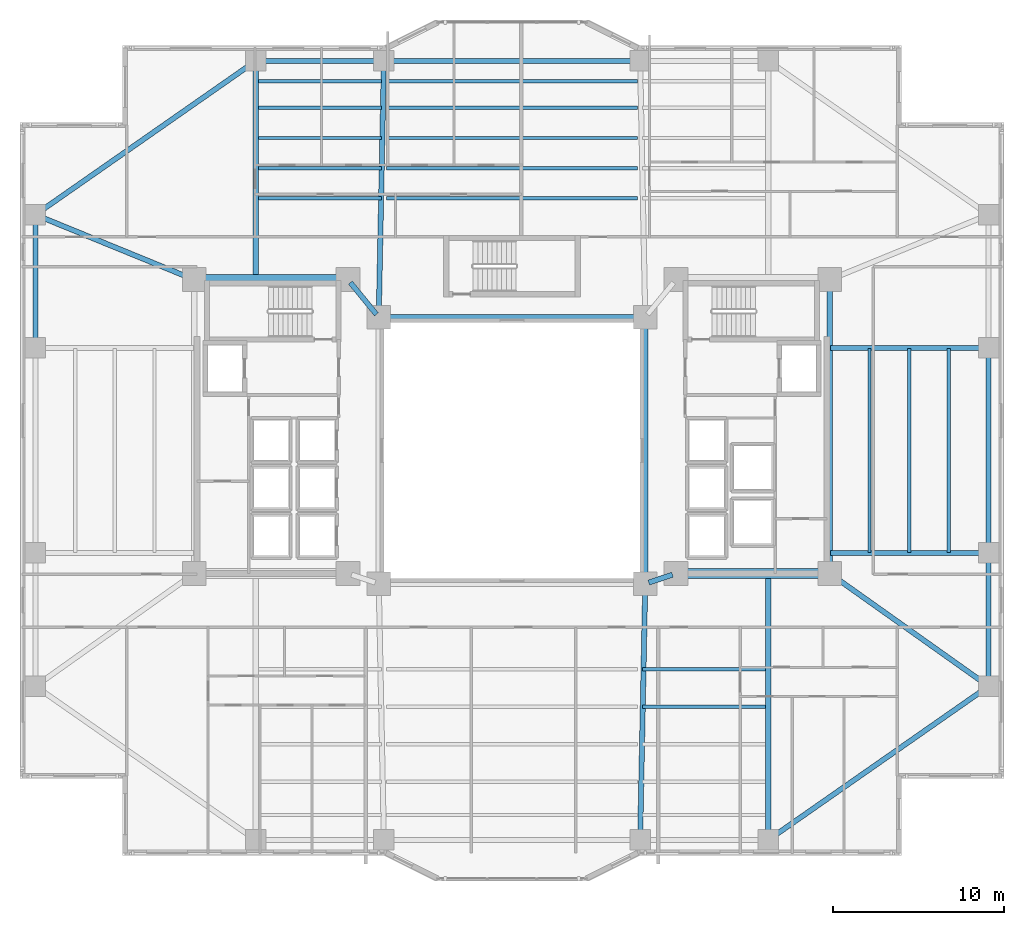
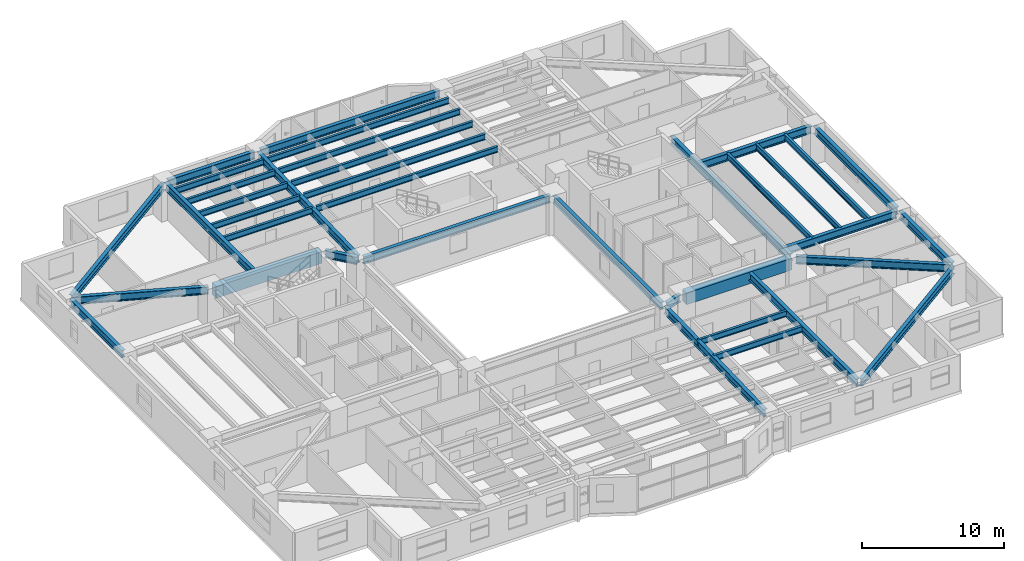
# One storey, part 5 of 20: 37 beams.
"""IFC4 building model written with IfcOpenShell, lengths in metres."""

import ifcopenshell
import ifcopenshell.guid

model = None  # the IFC model being written
_history = None  # IfcOwnerHistory: only IFC2X3 demands one
_inside = {}  # id of a spatial element -> (the spatial element, [elements in it])
_under = {}  # id of a project, library or spatial element -> (it, [spatial elements below it])
_declared = {}  # id of a project -> (the project, [libraries it declares])
_typed = {}  # id of a type object -> (the type object, [elements of that type])
_made_of = {}  # id of a material, layer set ... -> (it, [elements and type objects made of it])


def new_model(schema):
    """Start an empty IFC model of exactly this schema.

    Asked for "IFC4X3", IfcOpenShell would pick the latest addendum, in which some entities
    have other attributes; the version numbers below select the first issue.
    IFC2X3 requires an IfcOwnerHistory on every rooted entity: one is made here for all.
    """
    global model, _history
    if schema == "IFC4X3":
        model = ifcopenshell.file(schema_version=(4, 3, 0, 0))
    else:
        model = ifcopenshell.file(schema=schema)
    _inside.clear()
    _under.clear()
    _declared.clear()
    _typed.clear()
    _made_of.clear()
    _history = None
    if model.schema == "IFC2X3":
        org = make("IfcOrganization", Name="unknown")
        user = make(
            "IfcPersonAndOrganization",
            ThePerson=make("IfcPerson", FamilyName="unknown"),
            TheOrganization=org,
        )
        app = make(
            "IfcApplication",
            ApplicationDeveloper=org,
            Version="unknown",
            ApplicationFullName="unknown",
            ApplicationIdentifier="unknown",
        )
        _history = make(
            "IfcOwnerHistory",
            OwningUser=user,
            OwningApplication=app,
            ChangeAction="ADDED",
            CreationDate=0,
        )
    return model


def make(cls, **values):
    """One entity of the class cls with the attributes given. An attribute that is None is left unset."""
    return model.create_entity(
        cls, **{name: value for name, value in values.items() if value is not None}
    )


def rooted(cls, **values):
    """An entity with a GlobalId (a new one), such as an element, a storey or a relation."""
    return make(cls, GlobalId=ifcopenshell.guid.new(), OwnerHistory=_history, **values)


def si_unit(unit_type, name, prefix=None):
    """IfcSIUnit, for example si_unit("LENGTHUNIT", "METRE", prefix="MILLI")."""
    return make("IfcSIUnit", UnitType=unit_type, Prefix=prefix, Name=name)


def assignment(units):
    """IfcUnitAssignment: the units of a project."""
    return None if units is None else make("IfcUnitAssignment", Units=units)


def point(xyz):
    """IfcCartesianPoint."""
    return None if xyz is None else make("IfcCartesianPoint", Coordinates=xyz)


def direction(xyz):
    """IfcDirection."""
    return None if xyz is None else make("IfcDirection", DirectionRatios=xyz)


def frame(location, z_axis=None, x_axis=None):
    """IfcAxis2Placement3D, a coordinate frame: its origin and axes. An axis left out is left unset."""
    return make(
        "IfcAxis2Placement3D",
        Location=point(location),
        Axis=direction(z_axis),
        RefDirection=direction(x_axis),
    )


def frame_2d(location, x_axis=None):
    """IfcAxis2Placement2D, a coordinate frame in the plane: its origin and x axis."""
    return make(
        "IfcAxis2Placement2D", Location=point(location), RefDirection=direction(x_axis)
    )


def origin():
    """The frame at (0, 0, 0) with its axes left unset."""
    return frame((0.0, 0.0, 0.0))


def origin_2d():
    """The frame at (0, 0) in the plane with its x axis left unset."""
    return frame_2d((0.0, 0.0))


def place(relative_to, where):
    """IfcLocalPlacement: puts the frame where relative to a parent placement (None: the world)."""
    return make(
        "IfcLocalPlacement", PlacementRelTo=relative_to, RelativePlacement=where
    )


def context(
    kind, dimensions, precision=None, world=None, true_north=None, identifier=None
):
    """IfcGeometricRepresentationContext, for example the 3D "Model" context."""
    return make(
        "IfcGeometricRepresentationContext",
        ContextIdentifier=identifier,
        ContextType=kind,
        CoordinateSpaceDimension=dimensions,
        Precision=precision,
        WorldCoordinateSystem=world,
        TrueNorth=true_north,
    )


def subcontext(parent, identifier, kind, view, scale=None):
    """IfcGeometricRepresentationSubContext, for example "Body" below "Model"."""
    return make(
        "IfcGeometricRepresentationSubContext",
        ContextIdentifier=identifier,
        ContextType=kind,
        ParentContext=parent,
        TargetScale=scale,
        TargetView=view,
    )


def project(units=None, contexts=None):
    """IfcProject with its units and contexts."""
    return rooted(
        "IfcProject",
        Name="project",
        RepresentationContexts=contexts,
        UnitsInContext=assignment(units),
    )


def spatial(cls, under=None, at=None, **own):
    """A site, building, storey or space (cls), placed at a placement, below another one or the project."""
    s = rooted(cls, ObjectPlacement=at, **own)
    if under is not None:
        _under.setdefault(under.id(), (under, []))[1].append(s)
    return s


def profile(cls, at=None, kind="AREA", **sizes):
    """A parametric profile (cls). Its sizes go by their IFC names, for example OverallWidth=200.0."""
    return make(cls, ProfileType=kind, Position=at, **sizes)


def rectangle(**sizes):
    """IfcRectangleProfileDef."""
    return profile("IfcRectangleProfileDef", **sizes)


def i_section(**sizes):
    """IfcIShapeProfileDef."""
    return profile("IfcIShapeProfileDef", **sizes)


def extrude(swept, where, along, depth):
    """IfcExtrudedAreaSolid: the profile swept, set in the frame where, extruded along a direction by depth."""
    return make(
        "IfcExtrudedAreaSolid",
        SweptArea=swept,
        Position=where,
        ExtrudedDirection=direction(along),
        Depth=depth,
    )


def shape(context_of_items, identifier, shape_type, items):
    """IfcShapeRepresentation: the items that make up one representation, for example the "Body"."""
    return make(
        "IfcShapeRepresentation",
        ContextOfItems=context_of_items,
        RepresentationIdentifier=identifier,
        RepresentationType=shape_type,
        Items=items,
    )


def material(Name=None, Category=None):
    """IfcMaterial."""
    return make("IfcMaterial", Name=Name, Category=Category)


def material_profile(
    of_material, cross_section, Name=None, Category=None, Priority=None
):
    """IfcMaterialProfile: a cross section and its material."""
    return make(
        "IfcMaterialProfile",
        Name=Name,
        Material=of_material,
        Profile=cross_section,
        Priority=Priority,
        Category=Category,
    )


def profile_set(profiles, Name=None, composite=None):
    """IfcMaterialProfileSet."""
    return make(
        "IfcMaterialProfileSet",
        Name=Name,
        MaterialProfiles=profiles,
        CompositeProfile=composite,
    )


def made_of(thing, what):
    """Note that an element or type object is made of a material, layer set ...; save() writes the relation."""
    if what is not None:
        _made_of.setdefault(what.id(), (what, []))[1].append(thing)
    return thing


def type_object(cls, material=None, **own):
    """A type object (cls), such as IfcWallType, which elements share."""
    return made_of(rooted(cls, **own), material)


def element(
    cls,
    number,
    at=None,
    inside=None,
    cuts=None,
    type_object=None,
    material=None,
    context=None,
    identifier="Body",
    shape_type=None,
    held_by="IfcProductDefinitionShape",
    body=None,
    shapes=None,
    **own,
):
    """One element of the class cls, such as IfcWall. Its Tag is "e" and its number.

    at: its placement. inside: the storey or other place that contains it. cuts: it is an
    opening in that element (IfcRelVoidsElement). A single representation is given by context,
    identifier, shape_type and body (its items); several are given by shapes. held_by: the class
    of the entity that holds the representations. save() writes the other relations.
    """
    e = rooted(cls, Tag="e%d" % number, ObjectPlacement=at, **own)
    if body is not None:
        shapes = [shape(context, identifier, shape_type, body)]
    if shapes is not None:
        e.Representation = make(held_by, Representations=shapes)
    if inside is not None:
        _inside.setdefault(inside.id(), (inside, []))[1].append(e)
    if cuts is not None:
        rooted(
            "IfcRelVoidsElement", RelatingBuildingElement=cuts, RelatedOpeningElement=e
        )
    if type_object is not None:
        _typed.setdefault(type_object.id(), (type_object, []))[1].append(e)
    return made_of(e, material)


def aggregate(whole, parts):
    """IfcRelAggregates: a whole, such as a stair, and the parts it consists of."""
    return rooted("IfcRelAggregates", RelatingObject=whole, RelatedObjects=parts)


def save(model, path):
    """Write the relations noted so far, then the file.

    IfcRelAggregates (storeys below a building ...), IfcRelContainedInSpatialStructure (elements
    in a storey), IfcRelDefinesByType, IfcRelAssociatesMaterial and IfcRelDeclares: one each for
    every whole, place, type object, material and project.
    """
    for whole, parts in _under.values():
        aggregate(whole, parts)
    for where, things in _inside.values():
        rooted(
            "IfcRelContainedInSpatialStructure",
            RelatedElements=things,
            RelatingStructure=where,
        )
    for kind, things in _typed.values():
        rooted("IfcRelDefinesByType", RelatedObjects=things, RelatingType=kind)
    for what, things in _made_of.values():
        rooted("IfcRelAssociatesMaterial", RelatedObjects=things, RelatingMaterial=what)
    for by, libraries in _declared.values():
        rooted("IfcRelDeclares", RelatingContext=by, RelatedDefinitions=libraries)
    model.write(path)


model = new_model("IFC4")

# Units and contexts
model_context = context("Model", 3, precision=1e-05, world=origin(), true_north=direction((0.0, 1.0)))
body_context = subcontext(model_context, "Body", "Model", "MODEL_VIEW")
ifc_project = project(units=[si_unit("LENGTHUNIT", "METRE"), si_unit("AREAUNIT", "SQUARE_METRE"), si_unit("VOLUMEUNIT", "CUBIC_METRE"), si_unit("PLANEANGLEUNIT", "RADIAN"), si_unit("MASSUNIT", "GRAM", prefix="KILO")], contexts=[model_context])

# Site, building, storey
site_placement = place(None, origin())
site = spatial("IfcSite", under=ifc_project, at=site_placement, CompositionType="ELEMENT")
building_placement = place(site_placement, origin())
building = spatial("IfcBuilding", under=site, at=building_placement, Name="Tarnavaz Court Tower", CompositionType="ELEMENT")
storey_placement = place(building_placement, frame((0.0, 0.0, 60.85009765625)))
storey = spatial("IfcBuildingStorey", under=building, at=storey_placement, Name="L16", CompositionType="ELEMENT", Elevation=60.85009765625)

# Beams
ifc_material_1 = material(Name="Concrete C60/75", Category="concrete")
ifc_material_profile_1 = material_profile(ifc_material_1, rectangle(XDim=0.60009765625, YDim=1.0, at=origin_2d()), Name="RC 600X1000")
ifc_profile_set_1 = profile_set([ifc_material_profile_1], Name="Concrete C60/75")
beam_type_1 = type_object("IfcBeamType", Name="BM-CB1000", PredefinedType="LINTEL", material=ifc_profile_set_1)
for number, where, z_axis, x_axis, name in (
    (1, (-18.3798828125, 10.0, 2.5498046875), (1.0, 0.0, 0.0), (0.0, 1.0, 0.0), "L16 Beam IN-CW-NO-CW-NI"),
    (2, (18.3798828125, -7.199951171875, 2.5498046875), (-1.0, 0.0, 0.0), (0.0, -1.0, 0.0), "L16 Beam IN-CE-SO-CE-SI"),
):
    element("IfcBeam", number, at=place(storey_placement, frame(where, z_axis=z_axis, x_axis=x_axis)), inside=storey, type_object=beam_type_1, Name=name, PredefinedType="LINTEL", context=body_context, shape_type="SweptSolid", body=[
        extrude(rectangle(XDim=0.60009765625, YDim=1.0, at=origin_2d()), origin(), (0.0, 0.0, 1.0), 8.559814453125),
    ])
ifc_material_2 = material(Name="Steel S355", Category="steel")
ifc_material_profile_2 = material_profile(ifc_material_2, i_section(OverallWidth=0.300048828125, OverallDepth=0.64990234375, WebThickness=0.01611328125, FlangeThickness=0.031005859375, FilletRadius=0.027099609375, at=origin_2d()), Name="HEB 650")
ifc_profile_set_2 = profile_set([ifc_material_profile_2], Name="Steel S355")
beam_type_2 = type_object("IfcBeamType", Name="BM-G-HEB650", PredefinedType="USERDEFINED", material=ifc_profile_set_2)
beam_1_placement = place(storey_placement, frame((9.391357421875, -7.26953125, 2.724853515625), z_axis=(-0.948666544706, -0.316278021615, 0.0), x_axis=(0.316278021615, -0.948666544706, 0.0)))
element("IfcBeam", 3, at=beam_1_placement, inside=storey, type_object=beam_type_2, Name="L16 Beam IN-CE-SI-IW-SE", ObjectType="GIRDER", PredefinedType="USERDEFINED", context=body_context, shape_type="SweptSolid", body=[
    extrude(i_section(OverallWidth=0.300048828125, OverallDepth=0.64990234375, WebThickness=0.01611328125, FlangeThickness=0.031005859375, FilletRadius=0.027099609375, at=origin_2d()), origin(), (0.0, 0.0, 1.0), 1.457275390625),
])
beam_2_placement = place(storey_placement, frame((-9.460693359375, 9.82958984375, 2.724853515625), z_axis=(0.633282058357, -0.773921077735, 0.0), x_axis=(0.773921077735, 0.633282058357, 0.0)))
element("IfcBeam", 4, at=beam_2_placement, inside=storey, type_object=beam_type_2, Name="L16 Beam IN-CW-NI-IW-NW", ObjectType="GIRDER", PredefinedType="USERDEFINED", context=body_context, shape_type="SweptSolid", body=[
    extrude(i_section(OverallWidth=0.300048828125, OverallDepth=0.64990234375, WebThickness=0.01611328125, FlangeThickness=0.031005859375, FilletRadius=0.027099609375, at=origin_2d()), origin(), (0.0, 0.0, 1.0), 2.402587890625),
])
beam_3_placement = place(storey_placement, frame((18.60009765625, -6.97998046875, 2.724853515625), z_axis=(0.0, 1.0, 0.0), x_axis=(-1.0, 0.0, 0.0)))
element("IfcBeam", 5, at=beam_3_placement, inside=storey, type_object=beam_type_2, Name="L16 Beam IN-CE-SO-CE-NO", ObjectType="GIRDER", PredefinedType="USERDEFINED", context=body_context, shape_type="SweptSolid", body=[
    extrude(i_section(OverallWidth=0.300048828125, OverallDepth=0.64990234375, WebThickness=0.01611328125, FlangeThickness=0.031005859375, FilletRadius=0.027099609375, at=origin_2d()), origin(), (0.0, 0.0, 1.0), 16.760009765625),
])
beam_4_placement = place(storey_placement, frame((-15.0, 10.0400390625, 2.724853515625), z_axis=(0.0, 1.0, 0.0), x_axis=(-1.0, 0.0, 0.0)))
element("IfcBeam", 6, at=beam_4_placement, inside=storey, type_object=beam_type_2, Name="L16 Beam RG-01", ObjectType="GIRDER", PredefinedType="USERDEFINED", context=body_context, shape_type="SweptSolid", body=[
    extrude(i_section(OverallWidth=0.300048828125, OverallDepth=0.64990234375, WebThickness=0.01611328125, FlangeThickness=0.031005859375, FilletRadius=0.027099609375, at=origin_2d()), origin(), (0.0, 0.0, 1.0), 12.5400390625),
])
for number, where, z_axis, x_axis, name in (
    (7, (-7.795654296875, 8.02001953125, 2.724853515625), (0.020000023066, 0.999799979535, 0.0), (-0.999799979535, 0.020000023066, 0.0), "L16 Beam RG-02"),
    (8, (7.795654296875, -8.02001953125, 2.724853515625), (-0.020000023066, -0.999799979535, 0.0), (0.999799979535, -0.020000023066, 0.0), "L16 Beam RG-07"),
):
    element("IfcBeam", number, at=place(storey_placement, frame(where, z_axis=z_axis, x_axis=x_axis)), inside=storey, type_object=beam_type_2, Name=name, ObjectType="GIRDER", PredefinedType="USERDEFINED", context=body_context, shape_type="SweptSolid", body=[
        extrude(i_section(OverallWidth=0.300048828125, OverallDepth=0.64990234375, WebThickness=0.01611328125, FlangeThickness=0.031005859375, FilletRadius=0.027099609375, at=origin_2d()), origin(), (0.0, 0.0, 1.0), 14.56298828125),
    ])
beam_5_placement = place(storey_placement, frame((15.0, -7.239990234375, 2.724853515625), z_axis=(0.0, -1.0, 0.0), x_axis=(1.0, 0.0, 0.0)))
element("IfcBeam", 9, at=beam_5_placement, inside=storey, type_object=beam_type_2, Name="L16 Beam RG-08", ObjectType="GIRDER", PredefinedType="USERDEFINED", context=body_context, shape_type="SweptSolid", body=[
    extrude(i_section(OverallWidth=0.300048828125, OverallDepth=0.64990234375, WebThickness=0.01611328125, FlangeThickness=0.031005859375, FilletRadius=0.027099609375, at=origin_2d()), origin(), (0.0, 0.0, 1.0), 15.340087890625),
])
for number, where, z_axis, x_axis, name in (
    (10, (18.639892578125, -6.0, 2.724853515625), (1.0, 0.0, 0.0), (0.0, 1.0, 0.0), "L16 Beam RG-09"),
    (11, (18.639892578125, 6.0, 2.724853515625), (1.0, 0.0, 0.0), (0.0, 1.0, 0.0), "L16 Beam RG-10"),
):
    element("IfcBeam", number, at=place(storey_placement, frame(where, z_axis=z_axis, x_axis=x_axis)), inside=storey, type_object=beam_type_2, Name=name, ObjectType="GIRDER", PredefinedType="USERDEFINED", context=body_context, shape_type="SweptSolid", body=[
        extrude(i_section(OverallWidth=0.300048828125, OverallDepth=0.64990234375, WebThickness=0.01611328125, FlangeThickness=0.031005859375, FilletRadius=0.027099609375, at=origin_2d()), origin(), (0.0, 0.0, 1.0), 9.0400390625),
    ])
beam_6_placement = place(storey_placement, frame((18.779296875, -7.327392578125, 2.724853515625), z_axis=(0.815520027245, -0.578728852886, 0.0), x_axis=(0.578728852886, 0.815520027245, 0.0)))
element("IfcBeam", 12, at=beam_6_placement, inside=storey, type_object=beam_type_2, Name="L16 Beam RG-11", ObjectType="GIRDER", PredefinedType="USERDEFINED", context=body_context, shape_type="SweptSolid", body=[
    extrude(i_section(OverallWidth=0.300048828125, OverallDepth=0.64990234375, WebThickness=0.01611328125, FlangeThickness=0.031005859375, FilletRadius=0.027099609375, at=origin_2d()), origin(), (0.0, 0.0, 1.0), 10.964111328125),
])
beam_7_placement = place(storey_placement, frame((-18.8037109375, 10.083251953125, 2.724853515625), z_axis=(-0.925704761705, 0.378246869329, 0.0), x_axis=(-0.378246869329, -0.925704761705, 0.0)))
element("IfcBeam", 13, at=beam_7_placement, inside=storey, type_object=beam_type_2, Name="L16 Beam RG-16", ObjectType="GIRDER", PredefinedType="USERDEFINED", context=body_context, shape_type="SweptSolid", body=[
    extrude(i_section(OverallWidth=0.300048828125, OverallDepth=0.64990234375, WebThickness=0.01611328125, FlangeThickness=0.031005859375, FilletRadius=0.027099609375, at=origin_2d()), origin(), (0.0, 0.0, 1.0), 9.606201171875),
])
ifc_material_profile_3 = material_profile(ifc_material_2, i_section(OverallWidth=0.199951171875, OverallDepth=0.5, WebThickness=0.01025390625, FlangeThickness=0.01611328125, FilletRadius=0.02099609375, at=origin_2d()), Name="IPE 500")
ifc_profile_set_3 = profile_set([ifc_material_profile_3], Name="Steel S355")
beam_type_3 = type_object("IfcBeamType", Name="BM-J-IPE500", PredefinedType="JOIST", material=ifc_profile_set_3)
beam_8_placement = place(storey_placement, frame((-14.85009765625, 14.763916015625, 2.7998046875), z_axis=(1.0, 0.0, 0.0), x_axis=(0.0, 1.0, 0.0)))
element("IfcBeam", 14, at=beam_8_placement, inside=storey, type_object=beam_type_3, Name="L16 Beam JN1-1", PredefinedType="JOIST", context=body_context, shape_type="SweptSolid", body=[
    extrude(i_section(OverallWidth=0.199951171875, OverallDepth=0.5, WebThickness=0.01025390625, FlangeThickness=0.01611328125, FilletRadius=0.02099609375, at=origin_2d()), origin(), (0.0, 0.0, 1.0), 7.2001953125),
])
beam_9_placement = place(storey_placement, frame((-7.35009765625, 14.763916015625, 2.7998046875), z_axis=(1.0, 0.0, 0.0), x_axis=(0.0, 1.0, 0.0)))
element("IfcBeam", 15, at=beam_9_placement, inside=storey, type_object=beam_type_3, Name="L16 Beam JN1-2", PredefinedType="JOIST", context=body_context, shape_type="SweptSolid", body=[
    extrude(i_section(OverallWidth=0.199951171875, OverallDepth=0.5, WebThickness=0.01025390625, FlangeThickness=0.01611328125, FilletRadius=0.02099609375, at=origin_2d()), origin(), (0.0, 0.0, 1.0), 14.7001953125),
])
for number, where, z_axis, x_axis, name in (
    (16, (7.64990234375, -12.7958984375, 2.7998046875), (1.0, 0.0, 0.0), (0.0, 1.0, 0.0), "L16 Beam JS1-3"),
    (17, (-14.85009765625, 16.528076171875, 2.7998046875), (1.0, 0.0, 0.0), (0.0, 1.0, 0.0), "L16 Beam JN2-1"),
):
    element("IfcBeam", number, at=place(storey_placement, frame(where, z_axis=z_axis, x_axis=x_axis)), inside=storey, type_object=beam_type_3, Name=name, PredefinedType="JOIST", context=body_context, shape_type="SweptSolid", body=[
        extrude(i_section(OverallWidth=0.199951171875, OverallDepth=0.5, WebThickness=0.01025390625, FlangeThickness=0.01611328125, FilletRadius=0.02099609375, at=origin_2d()), origin(), (0.0, 0.0, 1.0), 7.2001953125),
    ])
beam_10_placement = place(storey_placement, frame((-7.35009765625, 16.528076171875, 2.7998046875), z_axis=(1.0, 0.0, 0.0), x_axis=(0.0, 1.0, 0.0)))
element("IfcBeam", 18, at=beam_10_placement, inside=storey, type_object=beam_type_3, Name="L16 Beam JN2-2", PredefinedType="JOIST", context=body_context, shape_type="SweptSolid", body=[
    extrude(i_section(OverallWidth=0.199951171875, OverallDepth=0.5, WebThickness=0.01025390625, FlangeThickness=0.01611328125, FilletRadius=0.02099609375, at=origin_2d()), origin(), (0.0, 0.0, 1.0), 14.7001953125),
])
for number, where, z_axis, x_axis, name in (
    (19, (7.64990234375, -14.991943359375, 2.7998046875), (1.0, 0.0, 0.0), (0.0, 1.0, 0.0), "L16 Beam JS2-3"),
    (20, (-14.85009765625, 18.2919921875, 2.7998046875), (1.0, 0.0, 0.0), (0.0, 1.0, 0.0), "L16 Beam JN3-1"),
):
    element("IfcBeam", number, at=place(storey_placement, frame(where, z_axis=z_axis, x_axis=x_axis)), inside=storey, type_object=beam_type_3, Name=name, PredefinedType="JOIST", context=body_context, shape_type="SweptSolid", body=[
        extrude(i_section(OverallWidth=0.199951171875, OverallDepth=0.5, WebThickness=0.01025390625, FlangeThickness=0.01611328125, FilletRadius=0.02099609375, at=origin_2d()), origin(), (0.0, 0.0, 1.0), 7.2001953125),
    ])
beam_11_placement = place(storey_placement, frame((-7.35009765625, 18.2919921875, 2.7998046875), z_axis=(1.0, 0.0, 0.0), x_axis=(0.0, 1.0, 0.0)))
element("IfcBeam", 21, at=beam_11_placement, inside=storey, type_object=beam_type_3, Name="L16 Beam JN3-2", PredefinedType="JOIST", context=body_context, shape_type="SweptSolid", body=[
    extrude(i_section(OverallWidth=0.199951171875, OverallDepth=0.5, WebThickness=0.01025390625, FlangeThickness=0.01611328125, FilletRadius=0.02099609375, at=origin_2d()), origin(), (0.0, 0.0, 1.0), 14.7001953125),
])
beam_12_placement = place(storey_placement, frame((-14.85009765625, 20.055908203125, 2.7998046875), z_axis=(1.0, 0.0, 0.0), x_axis=(0.0, 1.0, 0.0)))
element("IfcBeam", 22, at=beam_12_placement, inside=storey, type_object=beam_type_3, Name="L16 Beam JN4-1", PredefinedType="JOIST", context=body_context, shape_type="SweptSolid", body=[
    extrude(i_section(OverallWidth=0.199951171875, OverallDepth=0.5, WebThickness=0.01025390625, FlangeThickness=0.01611328125, FilletRadius=0.02099609375, at=origin_2d()), origin(), (0.0, 0.0, 1.0), 7.2001953125),
])
beam_13_placement = place(storey_placement, frame((-7.35009765625, 20.055908203125, 2.7998046875), z_axis=(1.0, 0.0, 0.0), x_axis=(0.0, 1.0, 0.0)))
element("IfcBeam", 23, at=beam_13_placement, inside=storey, type_object=beam_type_3, Name="L16 Beam JN4-2", PredefinedType="JOIST", context=body_context, shape_type="SweptSolid", body=[
    extrude(i_section(OverallWidth=0.199951171875, OverallDepth=0.5, WebThickness=0.01025390625, FlangeThickness=0.01611328125, FilletRadius=0.02099609375, at=origin_2d()), origin(), (0.0, 0.0, 1.0), 14.7001953125),
])
beam_14_placement = place(storey_placement, frame((-14.85009765625, 21.6240234375, 2.7998046875), z_axis=(1.0, 0.0, 0.0), x_axis=(0.0, 1.0, 0.0)))
element("IfcBeam", 24, at=beam_14_placement, inside=storey, type_object=beam_type_3, Name="L16 Beam JN5-1", PredefinedType="JOIST", context=body_context, shape_type="SweptSolid", body=[
    extrude(i_section(OverallWidth=0.199951171875, OverallDepth=0.5, WebThickness=0.01025390625, FlangeThickness=0.01611328125, FilletRadius=0.02099609375, at=origin_2d()), origin(), (0.0, 0.0, 1.0), 7.2001953125),
])
beam_15_placement = place(storey_placement, frame((-7.35009765625, 21.6240234375, 2.7998046875), z_axis=(1.0, 0.0, 0.0), x_axis=(0.0, 1.0, 0.0)))
element("IfcBeam", 25, at=beam_15_placement, inside=storey, type_object=beam_type_3, Name="L16 Beam JN5-2", PredefinedType="JOIST", context=body_context, shape_type="SweptSolid", body=[
    extrude(i_section(OverallWidth=0.199951171875, OverallDepth=0.5, WebThickness=0.01025390625, FlangeThickness=0.01611328125, FilletRadius=0.02099609375, at=origin_2d()), origin(), (0.0, 0.0, 1.0), 14.7001953125),
])
for number, where, z_axis, x_axis, name in (
    (26, (20.925048828125, -5.9599609375, 2.7998046875), (0.0, 1.0, 0.0), (-1.0, 0.0, 0.0), "L16 Beam JE1"),
    (27, (23.25, -5.9599609375, 2.7998046875), (0.0, 1.0, 0.0), (-1.0, 0.0, 0.0), "L16 Beam JE2"),
    (28, (25.574951171875, -5.9599609375, 2.7998046875), (0.0, 1.0, 0.0), (-1.0, 0.0, 0.0), "L16 Beam JE3"),
):
    element("IfcBeam", number, at=place(storey_placement, frame(where, z_axis=z_axis, x_axis=x_axis)), inside=storey, type_object=beam_type_3, Name=name, PredefinedType="JOIST", context=body_context, shape_type="SweptSolid", body=[
        extrude(i_section(OverallWidth=0.199951171875, OverallDepth=0.5, WebThickness=0.01025390625, FlangeThickness=0.01611328125, FilletRadius=0.02099609375, at=origin_2d()), origin(), (0.0, 0.0, 1.0), 11.919921875),
    ])
ifc_material_profile_4 = material_profile(ifc_material_2, i_section(OverallWidth=0.300048828125, OverallDepth=0.639892578125, WebThickness=0.013427734375, FlangeThickness=0.02587890625, FilletRadius=0.027099609375, at=origin_2d()), Name="HEA 650")
ifc_profile_set_4 = profile_set([ifc_material_profile_4], Name="Steel S355")
beam_type_4 = type_object("IfcBeamType", Name="BM-SP-HEA650", PredefinedType="SPANDREL", material=ifc_profile_set_4)
for number, where, z_axis, x_axis, name in (
    (29, (-7.580078125, 7.800048828125, 2.72998046875), (1.0, 0.0, 0.0), (0.0, 1.0, 0.0), "L16 Beam IN-IW-NW-IW-NE"),
    (30, (7.800048828125, -7.580078125, 2.72998046875), (0.0, 1.0, 0.0), (-1.0, 0.0, 0.0), "L16 Beam IN-IW-SE-IW-NE"),
):
    element("IfcBeam", number, at=place(storey_placement, frame(where, z_axis=z_axis, x_axis=x_axis)), inside=storey, type_object=beam_type_4, Name=name, PredefinedType="SPANDREL", context=body_context, shape_type="SweptSolid", body=[
        extrude(i_section(OverallWidth=0.300048828125, OverallDepth=0.639892578125, WebThickness=0.013427734375, FlangeThickness=0.02587890625, FilletRadius=0.027099609375, at=origin_2d()), origin(), (0.0, 0.0, 1.0), 15.16015625),
    ])
beam_16_placement = place(storey_placement, frame((-14.780029296875, 22.800048828125, 2.72998046875), z_axis=(1.0, 0.0, 0.0), x_axis=(0.0, 1.0, 0.0)))
element("IfcBeam", 31, at=beam_16_placement, inside=storey, type_object=beam_type_4, Name="L16 Beam PR-PN-1-PN-2", PredefinedType="SPANDREL", context=body_context, shape_type="SweptSolid", body=[
    extrude(i_section(OverallWidth=0.300048828125, OverallDepth=0.639892578125, WebThickness=0.013427734375, FlangeThickness=0.02587890625, FilletRadius=0.027099609375, at=origin_2d()), origin(), (0.0, 0.0, 1.0), 7.06005859375),
])
beam_17_placement = place(storey_placement, frame((-7.280029296875, 22.800048828125, 2.72998046875), z_axis=(1.0, 0.0, 0.0), x_axis=(0.0, 1.0, 0.0)))
element("IfcBeam", 32, at=beam_17_placement, inside=storey, type_object=beam_type_4, Name="L16 Beam PR-PN-2-PN-3", PredefinedType="SPANDREL", context=body_context, shape_type="SweptSolid", body=[
    extrude(i_section(OverallWidth=0.300048828125, OverallDepth=0.639892578125, WebThickness=0.013427734375, FlangeThickness=0.02587890625, FilletRadius=0.027099609375, at=origin_2d()), origin(), (0.0, 0.0, 1.0), 14.56005859375),
])
beam_18_placement = place(storey_placement, frame((27.89990234375, -13.580078125, 2.72998046875), z_axis=(0.0, 1.0, 0.0), x_axis=(-1.0, 0.0, 0.0)))
element("IfcBeam", 33, at=beam_18_placement, inside=storey, type_object=beam_type_4, Name="L16 Beam PR-PE-1-PE-2", PredefinedType="SPANDREL", context=body_context, shape_type="SweptSolid", body=[
    extrude(i_section(OverallWidth=0.300048828125, OverallDepth=0.639892578125, WebThickness=0.013427734375, FlangeThickness=0.02587890625, FilletRadius=0.027099609375, at=origin_2d()), origin(), (0.0, 0.0, 1.0), 7.360107421875),
])
beam_19_placement = place(storey_placement, frame((27.89990234375, -5.780029296875, 2.72998046875), z_axis=(0.0, 1.0, 0.0), x_axis=(-1.0, 0.0, 0.0)))
element("IfcBeam", 34, at=beam_19_placement, inside=storey, type_object=beam_type_4, Name="L16 Beam PR-PE-2-PE-3", PredefinedType="SPANDREL", context=body_context, shape_type="SweptSolid", body=[
    extrude(i_section(OverallWidth=0.300048828125, OverallDepth=0.639892578125, WebThickness=0.013427734375, FlangeThickness=0.02587890625, FilletRadius=0.027099609375, at=origin_2d()), origin(), (0.0, 0.0, 1.0), 11.56005859375),
])
beam_20_placement = place(storey_placement, frame((-27.89990234375, 6.219970703125, 2.72998046875), z_axis=(0.0, 1.0, 0.0), x_axis=(-1.0, 0.0, 0.0)))
element("IfcBeam", 35, at=beam_20_placement, inside=storey, type_object=beam_type_4, Name="L16 Beam PR-PW-3-PW-4", PredefinedType="SPANDREL", context=body_context, shape_type="SweptSolid", body=[
    extrude(i_section(OverallWidth=0.300048828125, OverallDepth=0.639892578125, WebThickness=0.013427734375, FlangeThickness=0.02587890625, FilletRadius=0.027099609375, at=origin_2d()), origin(), (0.0, 0.0, 1.0), 7.360107421875),
])
for number, where, z_axis, x_axis, name in (
    (36, (27.719482421875, -13.92578125, 2.72998046875), (-0.820123643324, -0.572186341729, 0.0), (0.572186341729, -0.820123643324, 0.0), "L16 Beam PR-PE-1-PS-4"),
    (37, (-27.719482421875, 13.92578125, 2.72998046875), (0.820123643324, 0.572186341729, 0.0), (-0.572186341729, 0.820123643324, 0.0), "L16 Beam PR-PW-4-PN-1"),
):
    element("IfcBeam", number, at=place(storey_placement, frame(where, z_axis=z_axis, x_axis=x_axis)), inside=storey, type_object=beam_type_4, Name=name, PredefinedType="SPANDREL", context=body_context, shape_type="SweptSolid", body=[
        extrude(i_section(OverallWidth=0.300048828125, OverallDepth=0.639892578125, WebThickness=0.013427734375, FlangeThickness=0.02587890625, FilletRadius=0.027099609375, at=origin_2d()), origin(), (0.0, 0.0, 1.0), 15.289306640625),
    ])

save(model, "model.ifc")
